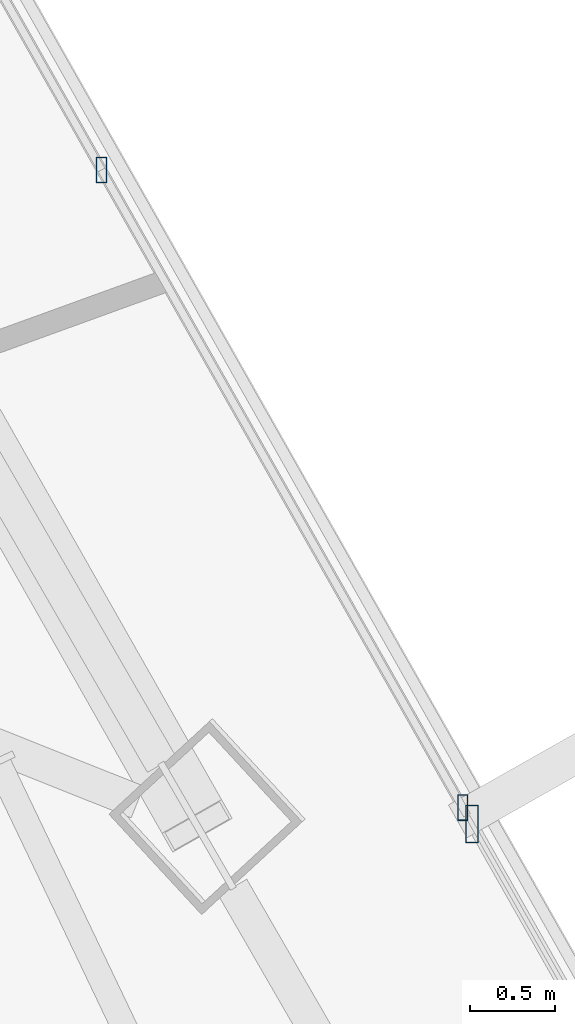
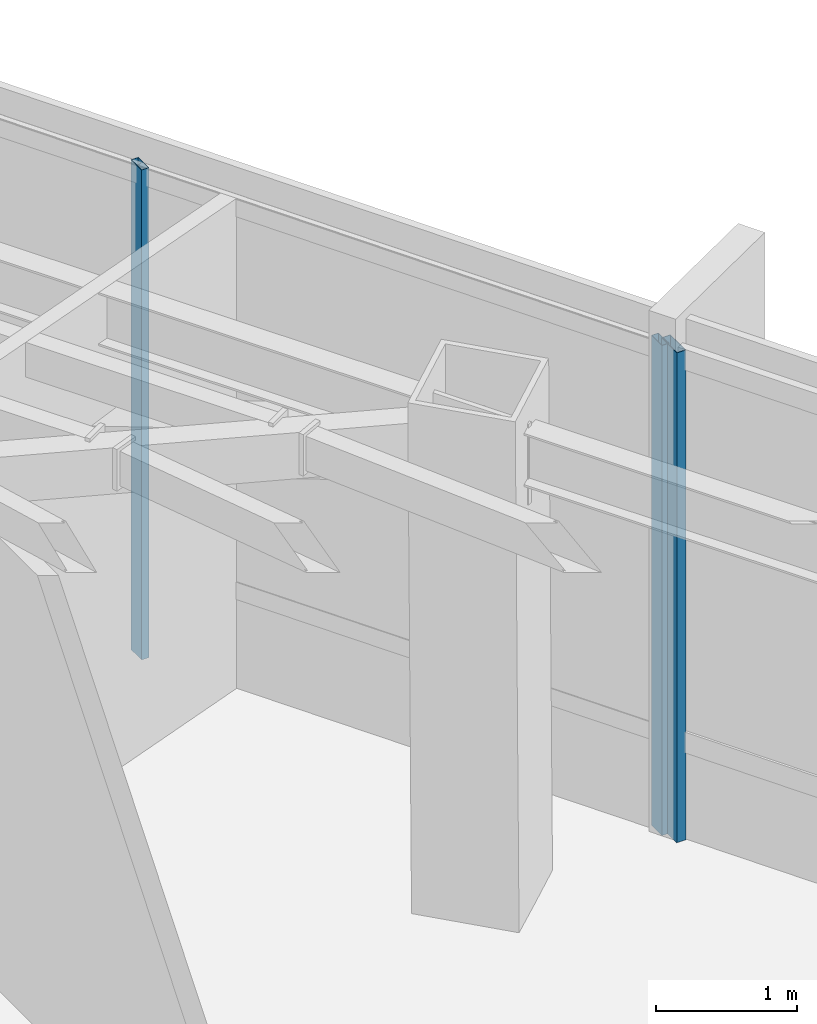
# One storey, part 22 of 37: 3 members, 2 elements without a shape of their own.
"""IFC4 building model written with IfcOpenShell, lengths in metres."""

from ifc_helpers import new_model, si_unit, direction, frame, origin, origin_2d, place, context, subcontext, project, spatial, hollow_rectangle, extrude, source, transform, mapped, material, material_profile, profile_set, type_object, type_shapes, element, aggregate, save


model = new_model("IFC4")

# Units and contexts
model_context = context("Model", 3, precision=1e-05, world=origin(), true_north=direction((0.0, 1.0)))
body_context = subcontext(model_context, "Body", "Model", "MODEL_VIEW")
ifc_project = project(units=[si_unit("LENGTHUNIT", "METRE"), si_unit("AREAUNIT", "SQUARE_METRE"), si_unit("VOLUMEUNIT", "CUBIC_METRE"), si_unit("PLANEANGLEUNIT", "RADIAN"), si_unit("MASSUNIT", "GRAM", prefix="KILO")], contexts=[model_context])

# Site, building, storey
site_placement = place(None, origin())
site = spatial("IfcSite", under=ifc_project, at=site_placement, CompositionType="ELEMENT")
building_placement = place(site_placement, origin())
building = spatial("IfcBuilding", under=site, at=building_placement, Name="Caelisora Broadcast Tower", CompositionType="ELEMENT")
storey_placement = place(building_placement, frame((0.0, 0.0, 225.35009765625)))
storey = spatial("IfcBuildingStorey", under=building, at=storey_placement, Name="L59", CompositionType="ELEMENT", Elevation=225.35009765625)

# Curtain wall, member
ifc_material_1 = material(Name="Unitised Aluminium and Low-E Glass Curtain Wall", Category="glass")
curtain_wall_type_1 = type_object("IfcCurtainWallType", Name="CW-SKY", PredefinedType="NOTDEFINED", material=ifc_material_1)
curtain_wall_1_placement = place(storey_placement, origin())
curtain_wall_1 = element("IfcCurtainWall", 1, at=curtain_wall_1_placement, inside=storey, type_object=curtain_wall_type_1, Name="L59 curtain wall CW-SKY", PredefinedType="NOTDEFINED")
ifc_material_2 = material(Name="Aluminium 6063-T6 Anodised Terracotta Bronze", Category="aluminium")
ifc_material_profile_1 = material_profile(ifc_material_2, hollow_rectangle(XDim=0.074951171875, YDim=0.219970703125, WallThickness=0.00390625, at=origin_2d()), Name="Aluminium 6063-T6 Anodised Terracotta Bronze")
ifc_profile_set_1 = profile_set([ifc_material_profile_1], Name="Aluminium 6063-T6 Anodised Terracotta Bronze")
member_type_1 = type_object("IfcMemberType", Name="CWM-01", PredefinedType="MULLION", material=ifc_profile_set_1)
shared_shape_1 = source(origin(), body_context, "Body", "SweptSolid", [
    extrude(hollow_rectangle(XDim=0.074951171875, YDim=0.219970703125, WallThickness=0.00390625, at=origin_2d()), origin(), (0.0, 0.0, 1.0), 4.25),
])
type_shapes(member_type_1, [shared_shape_1])
member_1_placement = place(storey_placement, frame((55.660400390625, 26.596923828125, 0.0), z_axis=(0.0, 0.0, 1.0), x_axis=(1.0, 0.0, 0.0)))
member_1 = element("IfcMember", 2, at=member_1_placement, type_object=member_type_1, Name="L59-CW-B03 mullion #0", PredefinedType="MULLION", context=body_context, shape_type="MappedRepresentation", body=[
    mapped(shared_shape_1, transform((0.0, 0.0, 0.0), scale=1.0)),
])
aggregate(curtain_wall_1, [member_1])

# Curtain wall, members
ifc_material_3 = material(Name="Unitised Aluminium Insulated Shadow-Box Spandrel Curtain Wall", Category="aluminium")
curtain_wall_type_2 = type_object("IfcCurtainWallType", Name="CW-SP2", PredefinedType="NOTDEFINED", material=ifc_material_3)
curtain_wall_2_placement = place(storey_placement, origin())
curtain_wall_2 = element("IfcCurtainWall", 3, at=curtain_wall_2_placement, inside=storey, type_object=curtain_wall_type_2, Name="L59 curtain wall CW-SP2", PredefinedType="NOTDEFINED")
ifc_material_profile_2 = material_profile(ifc_material_2, hollow_rectangle(XDim=0.06005859375, YDim=0.14990234375, WallThickness=0.00341796875, at=origin_2d()), Name="Aluminium 6063-T6 Anodised Terracotta Bronze")
ifc_profile_set_2 = profile_set([ifc_material_profile_2], Name="Aluminium 6063-T6 Anodised Terracotta Bronze")
member_type_2 = type_object("IfcMemberType", Name="CWM-03", PredefinedType="MULLION", material=ifc_profile_set_2)
shared_shape_2 = source(origin(), body_context, "Body", "SweptSolid", [
    extrude(hollow_rectangle(XDim=0.06005859375, YDim=0.14990234375, WallThickness=0.00341796875, at=origin_2d()), origin(), (0.0, 0.0, 1.0), 4.25),
])
type_shapes(member_type_2, [shared_shape_2])
member_2_placement = place(storey_placement, frame((53.49169921875, 30.425537109375, 0.0), z_axis=(0.0, 0.0, 1.0), x_axis=(1.0, 0.0, 0.0)))
member_2 = element("IfcMember", 4, at=member_2_placement, type_object=member_type_2, Name="L59-CW-B02 mullion #2", PredefinedType="MULLION", context=body_context, shape_type="MappedRepresentation", body=[
    mapped(shared_shape_2, transform((0.0, 0.0, 0.0), scale=1.0)),
])
member_3_placement = place(storey_placement, frame((55.606201171875, 26.692626953125, 0.0), z_axis=(0.0, 0.0, 1.0), x_axis=(1.0, 0.0, 0.0)))
member_3 = element("IfcMember", 5, at=member_3_placement, type_object=member_type_2, Name="L59-CW-B02 mullion #3", PredefinedType="MULLION", context=body_context, shape_type="MappedRepresentation", body=[
    mapped(shared_shape_2, transform((0.0, 0.0, 0.0), scale=1.0)),
])
aggregate(curtain_wall_2, [member_2, member_3])

save(model, "model.ifc")
